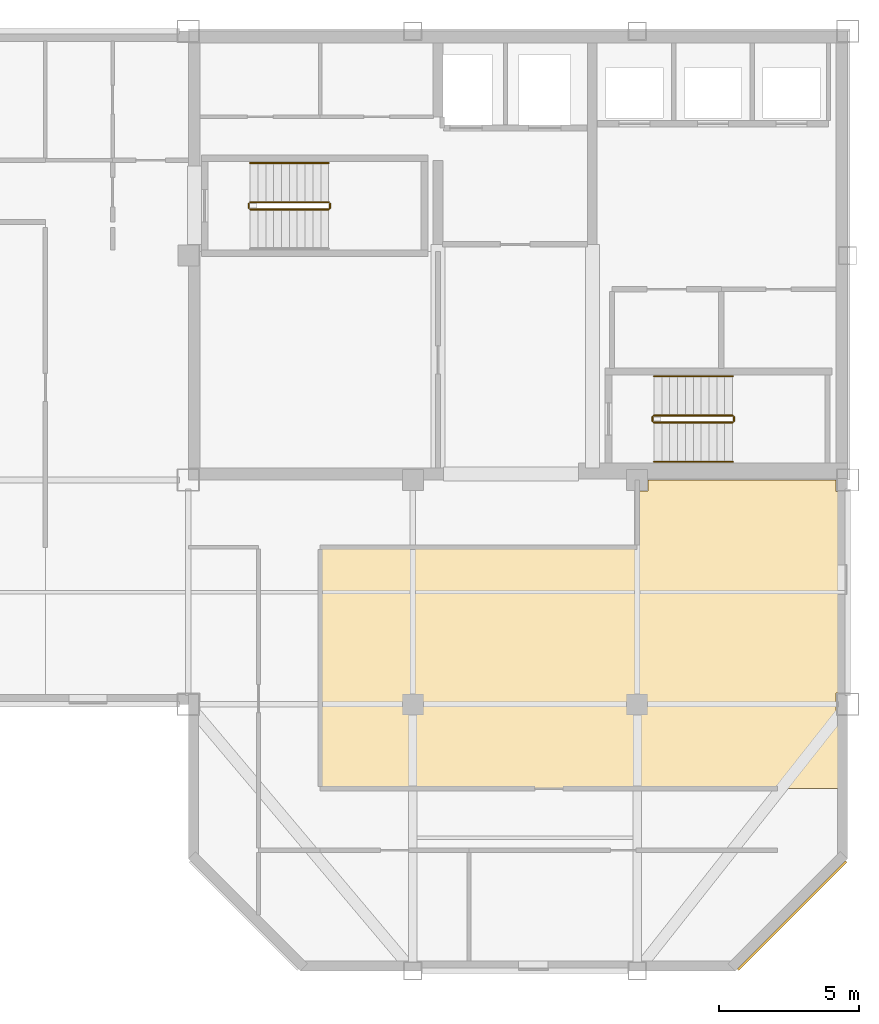
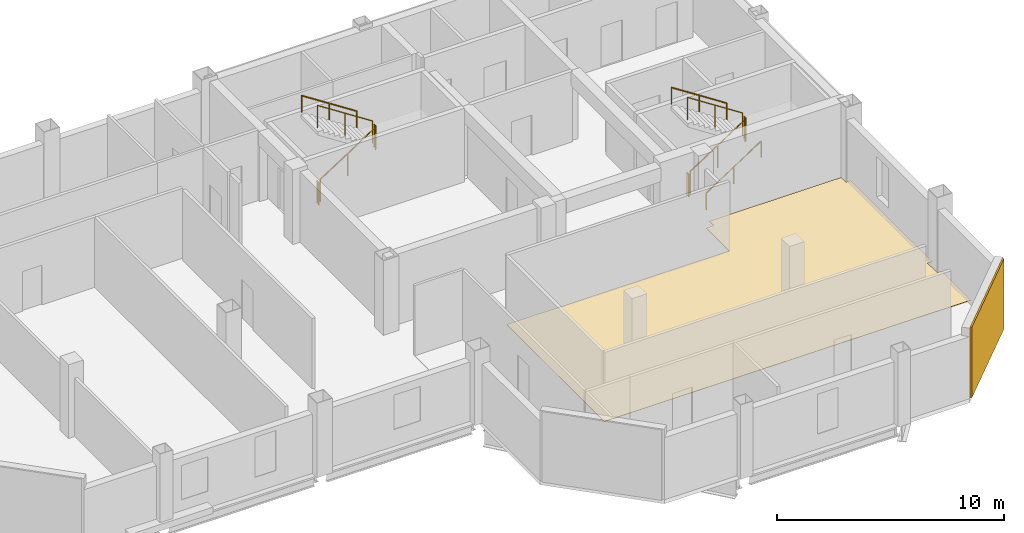
# One storey, part 6 of 7: 11 railings, 2 coverings.
"""IFC4 building model written with IfcOpenShell, lengths in metres."""

from ifc_helpers import new_model, si_unit, direction, frame, origin, origin_2d, place, context, subcontext, project, spatial, polyline, rectangle, circle, outline, extrude, material, layer, layer_set, type_object, element, save


model = new_model("IFC4")

# Units and contexts
model_context = context("Model", 3, precision=1e-05, world=origin(), true_north=direction((0.0, 1.0)))
body_context = subcontext(model_context, "Body", "Model", "MODEL_VIEW")
ifc_project = project(units=[si_unit("LENGTHUNIT", "METRE"), si_unit("AREAUNIT", "SQUARE_METRE"), si_unit("VOLUMEUNIT", "CUBIC_METRE"), si_unit("PLANEANGLEUNIT", "RADIAN"), si_unit("MASSUNIT", "GRAM", prefix="KILO")], contexts=[model_context])

# Site, building, storey
site_placement = place(None, origin())
site = spatial("IfcSite", under=ifc_project, at=site_placement, CompositionType="ELEMENT")
building_placement = place(site_placement, origin())
building = spatial("IfcBuilding", under=site, at=building_placement, Name="Qianrong Seaharbour Tower", CompositionType="ELEMENT")
storey_placement = place(building_placement, frame((0.0, 0.0, 315.199951171875)))
storey = spatial("IfcBuildingStorey", under=building, at=storey_placement, Name="L76", CompositionType="ELEMENT", Elevation=315.199951171875)

# Coverings
ifc_material_1 = material(Name="Unitised red brick cladding on Precast concrete C45/55", Category="masonry")
ifc_layer_1 = layer(ifc_material_1, 0.080078125)
ifc_layer_set_1 = layer_set([ifc_layer_1], Name="Unitised red brick cladding on Precast concrete C45/55")
covering_type_1 = type_object("IfcCoveringType", Name="COV-CLAD-RED-BRICK-80", PredefinedType="CLADDING", material=ifc_layer_set_1)
covering_1_placement = place(storey_placement, frame((62.0283203125, 20.4716796875, 0.0), z_axis=(0.0, 0.0, 1.0), x_axis=(-0.707106781187, -0.707106781187, 0.0)))
element("IfcCovering", 1, at=covering_1_placement, inside=storey, type_object=covering_type_1, Name="L76 Chamfer Corner Brick Cladding 07", PredefinedType="CLADDING", context=body_context, shape_type="SweptSolid", body=[
    extrude(rectangle(XDim=5.456787109375, YDim=0.080078125, at=origin_2d()), origin(), (0.0, 0.0, 1.0), 3.784912109375),
])
ifc_material_2 = material(Name="Acoustic modular carpet tile flooring")
ifc_layer_2 = layer(ifc_material_2, 0.02001953125)
ifc_layer_set_2 = layer_set([ifc_layer_2], Name="Acoustic modular carpet tile flooring")
covering_type_2 = type_object("IfcCoveringType", Name="COV-FLOOR-CARPET-20", PredefinedType="FLOORING", material=ifc_layer_set_2)
covering_2_placement = place(storey_placement, origin())
element("IfcCovering", 2, at=covering_2_placement, inside=storey, type_object=covering_type_2, Name="L76 Staff Club Assembly Hall Finish Flooring", PredefinedType="FLOORING", context=body_context, shape_type="SweptSolid", body=[
    extrude(outline(polyline([(56.5, 33.60009765625), (56.5, 35.614990234375), (56.885009765625, 35.614990234375), (56.885009765625, 36.0), (63.590087890625, 36.0), (63.590087890625, 35.590087890625), (63.824951171875, 35.590087890625), (63.824951171875, 28.409912109375), (63.590087890625, 28.409912109375), (63.590087890625, 27.590087890625), (63.824951171875, 27.590087890625), (63.824951171875, 25.0), (45.199951171875, 25.0), (45.199951171875, 33.60009765625), (56.5, 33.60009765625)])), origin(), (0.0, 0.0, 1.0), 0.02001953125),
])

# Railings
ifc_material_3 = material(Name="Galvanized painted steel SN400B stair guard", Category="steel")
railing_type_1 = type_object("IfcRailingType", Name="RAIL-STAIR-GUARD-1220", PredefinedType="GUARDRAIL", material=ifc_material_3)
railing_1_placement = place(storey_placement, frame((42.699951171875, 45.64990234375, 0.181884765625)))
element("IfcRailing", 3, at=railing_1_placement, inside=storey, type_object=railing_type_1, Name="L76 ST-1 stair guard 1", PredefinedType="GUARDRAIL", context=body_context, shape_type="SweptSolid", body=[
    extrude(circle(Radius=0.02392578125, at=origin_2d()), frame((0.0, 0.0, 1.19580078125), z_axis=(0.838705829183, 0.0, 0.544584733623), x_axis=(0.0, 1.0, 0.0)), (0.0, 0.0, 1.0), 3.338623046875),
    extrude(circle(Radius=0.02099609375, at=origin_2d()), origin(), (0.0, 0.0, 1.0), 1.171875),
    extrude(circle(Radius=0.02099609375, at=origin_2d()), frame((1.39990234375, 0.0, 0.9091796875)), (0.0, 0.0, 1.0), 1.171875),
    extrude(circle(Radius=0.02099609375, at=origin_2d()), frame((2.800048828125, 0.0, 1.818115234375)), (0.0, 0.0, 1.0), 1.171875),
])
railing_2_placement = place(storey_placement, frame((45.550048828125, 45.699951171875, 2.0)))
element("IfcRailing", 4, at=railing_2_placement, inside=storey, type_object=railing_type_1, Name="L76 ST-1 stair guard 2", PredefinedType="GUARDRAIL", context=body_context, shape_type="SweptSolid", body=[
    extrude(circle(Radius=0.02392578125, at=origin_2d()), frame((0.0, 0.0, 1.19580078125), z_axis=(0.0, 1.0, 0.0), x_axis=(-1.0, 0.0, 0.0)), (0.0, 0.0, 1.0), 0.150146484375),
    extrude(circle(Radius=0.02099609375, at=origin_2d()), origin(), (0.0, 0.0, 1.0), 1.171875),
    extrude(circle(Radius=0.02099609375, at=origin_2d()), frame((0.0, 0.150146484375, 0.0)), (0.0, 0.0, 1.0), 1.171875),
])
railing_3_placement = place(storey_placement, frame((45.5, 45.89990234375, 2.181884765625)))
element("IfcRailing", 5, at=railing_3_placement, inside=storey, type_object=railing_type_1, Name="L76 ST-1 stair guard 3", PredefinedType="GUARDRAIL", context=body_context, shape_type="SweptSolid", body=[
    extrude(circle(Radius=0.02392578125, at=origin_2d()), frame((0.0, 0.0, 1.19580078125), z_axis=(-0.838705829183, 0.0, 0.544584733623), x_axis=(0.0, -1.0, 0.0)), (0.0, 0.0, 1.0), 3.338623046875),
    extrude(circle(Radius=0.02099609375, at=origin_2d()), origin(), (0.0, 0.0, 1.0), 1.171875),
    extrude(circle(Radius=0.02099609375, at=origin_2d()), frame((-1.39990234375, 0.0, 0.9091796875)), (0.0, 0.0, 1.0), 1.171875),
    extrude(circle(Radius=0.02099609375, at=origin_2d()), frame((-2.800048828125, 0.0, 1.818115234375)), (0.0, 0.0, 1.0), 1.171875),
])
railing_4_placement = place(storey_placement, frame((42.64990234375, 45.699951171875, 0.0)))
element("IfcRailing", 6, at=railing_4_placement, inside=storey, type_object=railing_type_1, Name="L76 ST-1 stair guard 4", PredefinedType="GUARDRAIL", context=body_context, shape_type="SweptSolid", body=[
    extrude(circle(Radius=0.02392578125, at=origin_2d()), frame((0.0, 0.0, 1.19580078125), z_axis=(0.0, 1.0, 0.0), x_axis=(-1.0, 0.0, 0.0)), (0.0, 0.0, 1.0), 0.150146484375),
    extrude(circle(Radius=0.02099609375, at=origin_2d()), origin(), (0.0, 0.0, 1.0), 1.171875),
    extrude(circle(Radius=0.02099609375, at=origin_2d()), frame((0.0, 0.150146484375, 0.0)), (0.0, 0.0, 1.0), 1.171875),
])
railing_5_placement = place(storey_placement, frame((57.10009765625, 38.050048828125, 0.181884765625)))
element("IfcRailing", 7, at=railing_5_placement, inside=storey, type_object=railing_type_1, Name="L76 ST-2 stair guard 1", PredefinedType="GUARDRAIL", context=body_context, shape_type="SweptSolid", body=[
    extrude(circle(Radius=0.02392578125, at=origin_2d()), frame((0.0, 0.0, 1.19580078125), z_axis=(0.83868413941, 0.0, 0.544618136222), x_axis=(0.0, 1.0, 0.0)), (0.0, 0.0, 1.0), 3.33837890625),
    extrude(circle(Radius=0.02099609375, at=origin_2d()), origin(), (0.0, 0.0, 1.0), 1.171875),
    extrude(circle(Radius=0.02099609375, at=origin_2d()), frame((1.39990234375, 0.0, 0.9091796875)), (0.0, 0.0, 1.0), 1.171875),
    extrude(circle(Radius=0.02099609375, at=origin_2d()), frame((2.7998046875, 0.0, 1.818115234375)), (0.0, 0.0, 1.0), 1.171875),
])
railing_6_placement = place(storey_placement, frame((59.949951171875, 38.10009765625, 2.0)))
element("IfcRailing", 8, at=railing_6_placement, inside=storey, type_object=railing_type_1, Name="L76 ST-2 stair guard 2", PredefinedType="GUARDRAIL", context=body_context, shape_type="SweptSolid", body=[
    extrude(circle(Radius=0.02392578125, at=origin_2d()), frame((0.0, 0.0, 1.19580078125), z_axis=(0.0, 1.0, 0.0), x_axis=(-1.0, 0.0, 0.0)), (0.0, 0.0, 1.0), 0.14990234375),
    extrude(circle(Radius=0.02099609375, at=origin_2d()), origin(), (0.0, 0.0, 1.0), 1.171875),
    extrude(circle(Radius=0.02099609375, at=origin_2d()), frame((0.0, 0.14990234375, 0.0)), (0.0, 0.0, 1.0), 1.171875),
])
railing_7_placement = place(storey_placement, frame((59.89990234375, 38.300048828125, 2.181884765625)))
element("IfcRailing", 9, at=railing_7_placement, inside=storey, type_object=railing_type_1, Name="L76 ST-2 stair guard 3", PredefinedType="GUARDRAIL", context=body_context, shape_type="SweptSolid", body=[
    extrude(circle(Radius=0.02392578125, at=origin_2d()), frame((0.0, 0.0, 1.19580078125), z_axis=(-0.83868413941, 0.0, 0.544618136222), x_axis=(0.0, -1.0, 0.0)), (0.0, 0.0, 1.0), 3.33837890625),
    extrude(circle(Radius=0.02099609375, at=origin_2d()), origin(), (0.0, 0.0, 1.0), 1.171875),
    extrude(circle(Radius=0.02099609375, at=origin_2d()), frame((-1.39990234375, 0.0, 0.9091796875)), (0.0, 0.0, 1.0), 1.171875),
    extrude(circle(Radius=0.02099609375, at=origin_2d()), frame((-2.7998046875, 0.0, 1.818115234375)), (0.0, 0.0, 1.0), 1.171875),
])
railing_8_placement = place(storey_placement, frame((57.050048828125, 38.10009765625, 0.0)))
element("IfcRailing", 10, at=railing_8_placement, inside=storey, type_object=railing_type_1, Name="L76 ST-2 stair guard 4", PredefinedType="GUARDRAIL", context=body_context, shape_type="SweptSolid", body=[
    extrude(circle(Radius=0.02392578125, at=origin_2d()), frame((0.0, 0.0, 1.19580078125), z_axis=(0.0, 1.0, 0.0), x_axis=(-1.0, 0.0, 0.0)), (0.0, 0.0, 1.0), 0.14990234375),
    extrude(circle(Radius=0.02099609375, at=origin_2d()), origin(), (0.0, 0.0, 1.0), 1.171875),
    extrude(circle(Radius=0.02099609375, at=origin_2d()), frame((0.0, 0.14990234375, 0.0)), (0.0, 0.0, 1.0), 1.171875),
])
ifc_material_4 = material(Name="Stainless steel SUS316L continuous handrail", Category="steel")
railing_type_2 = type_object("IfcRailingType", Name="RAIL-STAIR-HANDRAIL-900", PredefinedType="HANDRAIL", material=ifc_material_4)
railing_9_placement = place(storey_placement, frame((45.5, 47.300048828125, 2.181884765625)))
element("IfcRailing", 11, at=railing_9_placement, inside=storey, type_object=railing_type_2, Name="L76 ST-1 stair handrail 2", PredefinedType="HANDRAIL", context=body_context, shape_type="SweptSolid", body=[
    extrude(circle(Radius=0.02392578125, at=origin_2d()), frame((0.0, 0.0, 0.8759765625), z_axis=(-0.838705829183, 0.0, 0.544584733623), x_axis=(0.0, -1.0, 0.0)), (0.0, 0.0, 1.0), 3.338623046875),
    extrude(circle(Radius=0.02099609375, at=origin_2d()), origin(), (0.0, 0.0, 1.0), 0.851806640625),
    extrude(circle(Radius=0.02099609375, at=origin_2d()), frame((-1.39990234375, 0.0, 0.9091796875)), (0.0, 0.0, 1.0), 0.851806640625),
    extrude(circle(Radius=0.02099609375, at=origin_2d()), frame((-2.800048828125, 0.0, 1.818115234375)), (0.0, 0.0, 1.0), 0.851806640625),
])
railing_10_placement = place(storey_placement, frame((57.10009765625, 36.64990234375, 0.181884765625)))
element("IfcRailing", 12, at=railing_10_placement, inside=storey, type_object=railing_type_2, Name="L76 ST-2 stair handrail 1", PredefinedType="HANDRAIL", context=body_context, shape_type="SweptSolid", body=[
    extrude(circle(Radius=0.02392578125, at=origin_2d()), frame((0.0, 0.0, 0.8759765625), z_axis=(0.83868413941, 0.0, 0.544618136222), x_axis=(0.0, 1.0, 0.0)), (0.0, 0.0, 1.0), 3.33837890625),
    extrude(circle(Radius=0.02099609375, at=origin_2d()), origin(), (0.0, 0.0, 1.0), 0.851806640625),
    extrude(circle(Radius=0.02099609375, at=origin_2d()), frame((1.39990234375, 0.0, 0.9091796875)), (0.0, 0.0, 1.0), 0.851806640625),
    extrude(circle(Radius=0.02099609375, at=origin_2d()), frame((2.7998046875, 0.0, 1.818115234375)), (0.0, 0.0, 1.0), 0.851806640625),
])
railing_11_placement = place(storey_placement, frame((59.89990234375, 39.699951171875, 2.181884765625)))
element("IfcRailing", 13, at=railing_11_placement, inside=storey, type_object=railing_type_2, Name="L76 ST-2 stair handrail 2", PredefinedType="HANDRAIL", context=body_context, shape_type="SweptSolid", body=[
    extrude(circle(Radius=0.02392578125, at=origin_2d()), frame((0.0, 0.0, 0.8759765625), z_axis=(-0.83868413941, 0.0, 0.544618136222), x_axis=(0.0, -1.0, 0.0)), (0.0, 0.0, 1.0), 3.33837890625),
    extrude(circle(Radius=0.02099609375, at=origin_2d()), origin(), (0.0, 0.0, 1.0), 0.851806640625),
    extrude(circle(Radius=0.02099609375, at=origin_2d()), frame((-1.39990234375, 0.0, 0.9091796875)), (0.0, 0.0, 1.0), 0.851806640625),
    extrude(circle(Radius=0.02099609375, at=origin_2d()), frame((-2.7998046875, 0.0, 1.818115234375)), (0.0, 0.0, 1.0), 0.851806640625),
])

save(model, "model.ifc")
